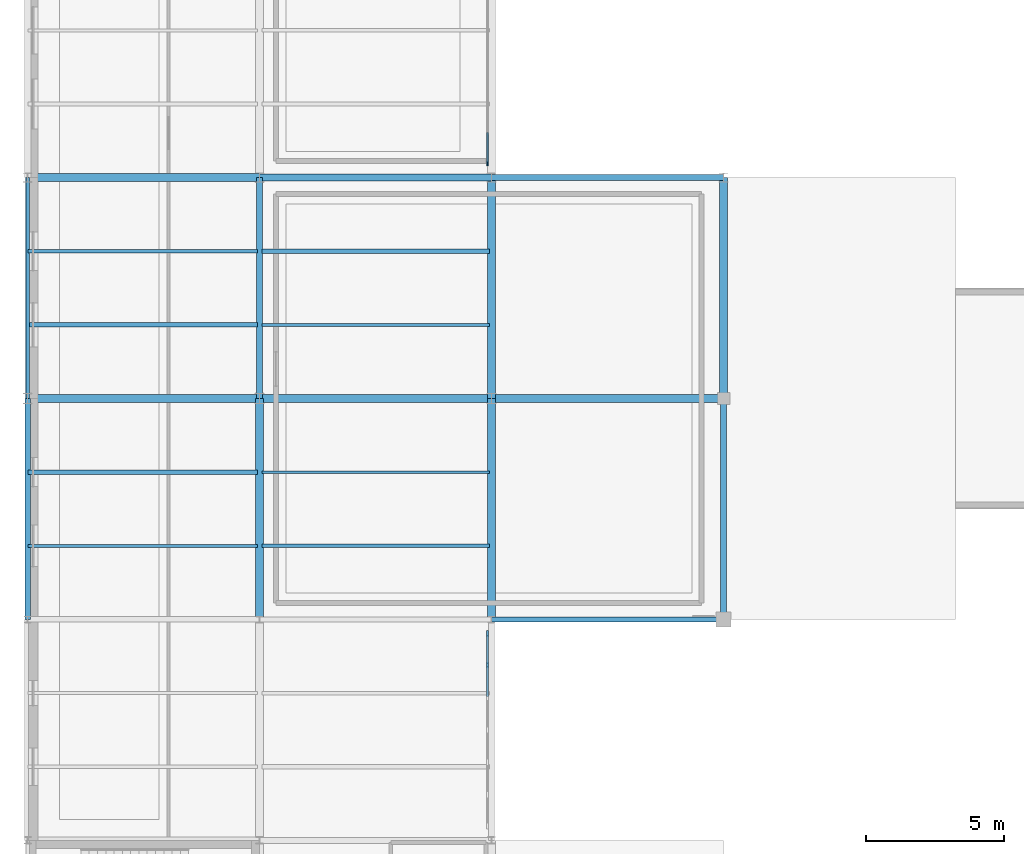
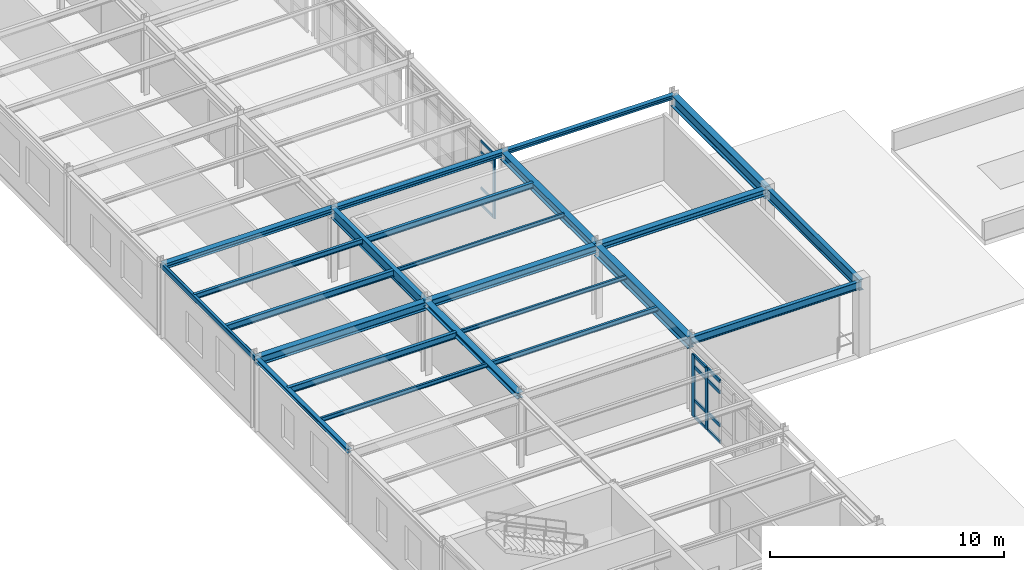
# One storey, part 19 of 70: 23 beams, 15 members, 2 elements without a shape of their own.
"""IFC4 building model written with IfcOpenShell, lengths in metres."""

from ifc_helpers import new_model, si_unit, derived_unit, direction, frame, origin, origin_2d, place, context, subcontext, project, spatial, rectangle, hollow_rectangle, i_section, extrude, material, layer, layer_set, material_profile, profile_set, type_object, element, aggregate, save


model = new_model("IFC4")

# Units and contexts
model_context = context("Model", 3, precision=1e-05, world=origin(), true_north=direction((0.0, 1.0)))
body_context = subcontext(model_context, "Body", "Model", "MODEL_VIEW")
ifc_project = project(units=[si_unit("LENGTHUNIT", "METRE"), si_unit("AREAUNIT", "SQUARE_METRE"), si_unit("VOLUMEUNIT", "CUBIC_METRE"), si_unit("PLANEANGLEUNIT", "RADIAN"), si_unit("MASSUNIT", "GRAM", prefix="KILO"), derived_unit("THERMALTRANSMITTANCEUNIT", [(si_unit("POWERUNIT", "WATT"), 1), (si_unit("AREAUNIT", "SQUARE_METRE"), -1), (si_unit("THERMODYNAMICTEMPERATUREUNIT", "KELVIN"), -1)])], contexts=[model_context])

# Site, building, storey
site_placement = place(None, origin())
site = spatial("IfcSite", under=ifc_project, at=site_placement, CompositionType="ELEMENT")
building_placement = place(site_placement, origin())
building = spatial("IfcBuilding", under=site, at=building_placement, Name="Yasenodar Specialist Clinic", CompositionType="ELEMENT")
storey_placement = place(building_placement, frame((0.0, 0.0, 13.199951171875)))
storey = spatial("IfcBuildingStorey", under=building, at=storey_placement, Name="L03", CompositionType="ELEMENT", Elevation=13.199951171875)

# Beams
ifc_material_1 = material(Name="Steel S355", Category="steel")
ifc_material_profile_1 = material_profile(ifc_material_1, i_section(OverallWidth=0.219970703125, OverallDepth=0.2099609375, WebThickness=0.007080078125, FlangeThickness=0.010986328125, FilletRadius=0.01806640625, at=origin_2d()), Name="HEA 220")
ifc_profile_set_1 = profile_set([ifc_material_profile_1], Name="Steel S355")
beam_type_1 = type_object("IfcBeamType", Name="BM-HEA220", PredefinedType="BEAM", material=ifc_profile_set_1)
beam_1_placement = place(storey_placement, frame((16.800048828125, 66.800048828125, 3.695068359375), z_axis=(1.0, 0.0, 0.0), x_axis=(0.0, 1.0, 0.0)))
element("IfcBeam", 1, at=beam_1_placement, inside=storey, type_object=beam_type_1, Name="L03 Primary E-W Girder", PredefinedType="BEAM", context=body_context, shape_type="SweptSolid", body=[
    extrude(i_section(OverallWidth=0.219970703125, OverallDepth=0.2099609375, WebThickness=0.007080078125, FlangeThickness=0.010986328125, FilletRadius=0.01806640625, at=origin_2d()), origin(), (0.0, 0.0, 1.0), 8.39990234375),
])
ifc_material_profile_2 = material_profile(ifc_material_1, i_section(OverallWidth=0.260009765625, OverallDepth=0.25, WebThickness=0.007568359375, FlangeThickness=0.012451171875, FilletRadius=0.02392578125, at=origin_2d()), Name="HEA 260")
ifc_profile_set_2 = profile_set([ifc_material_profile_2], Name="Steel S355")
beam_type_2 = type_object("IfcBeamType", Name="BM-HEA260", PredefinedType="BEAM", material=ifc_profile_set_2)
beam_2_placement = place(storey_placement, frame((8.39990234375, 66.800048828125, 3.675048828125), z_axis=(1.0, 0.0, 0.0), x_axis=(0.0, 1.0, 0.0)))
element("IfcBeam", 2, at=beam_2_placement, inside=storey, type_object=beam_type_2, Name="L03 Primary E-W Girder", PredefinedType="BEAM", context=body_context, shape_type="SweptSolid", body=[
    extrude(i_section(OverallWidth=0.260009765625, OverallDepth=0.25, WebThickness=0.007568359375, FlangeThickness=0.012451171875, FilletRadius=0.02392578125, at=origin_2d()), origin(), (0.0, 0.0, 1.0), 8.400146484375),
])
ifc_material_profile_3 = material_profile(ifc_material_1, i_section(OverallWidth=0.280029296875, OverallDepth=0.27001953125, WebThickness=0.008056640625, FlangeThickness=0.012939453125, FilletRadius=0.02392578125, at=origin_2d()), Name="HEA 280")
ifc_profile_set_3 = profile_set([ifc_material_profile_3], Name="Steel S355")
beam_type_3 = type_object("IfcBeamType", Name="BM-HEA280", PredefinedType="BEAM", material=ifc_profile_set_3)
beam_3_placement = place(storey_placement, frame((0.0, 66.800048828125, 3.6650390625), z_axis=(1.0, 0.0, 0.0), x_axis=(0.0, 1.0, 0.0)))
element("IfcBeam", 3, at=beam_3_placement, inside=storey, type_object=beam_type_3, Name="L03 Primary E-W Girder", PredefinedType="BEAM", context=body_context, shape_type="SweptSolid", body=[
    extrude(i_section(OverallWidth=0.280029296875, OverallDepth=0.27001953125, WebThickness=0.008056640625, FlangeThickness=0.012939453125, FilletRadius=0.02392578125, at=origin_2d()), origin(), (0.0, 0.0, 1.0), 8.39990234375),
])
ifc_material_profile_4 = material_profile(ifc_material_1, i_section(OverallWidth=0.300048828125, OverallDepth=0.2900390625, WebThickness=0.008544921875, FlangeThickness=0.013916015625, FilletRadius=0.027099609375, at=origin_2d()), Name="HEA 300")
ifc_profile_set_4 = profile_set([ifc_material_profile_4], Name="Steel S355")
beam_type_4 = type_object("IfcBeamType", Name="BM-HEA300", PredefinedType="BEAM", material=ifc_profile_set_4)
beam_4_placement = place(storey_placement, frame((8.39990234375, 50.800048828125, 3.655029296875), z_axis=(0.0, 1.0, 0.0), x_axis=(-1.0, 0.0, 0.0)))
element("IfcBeam", 4, at=beam_4_placement, inside=storey, type_object=beam_type_4, Name="L03 Primary N-S Girder", PredefinedType="BEAM", context=body_context, shape_type="SweptSolid", body=[
    extrude(i_section(OverallWidth=0.300048828125, OverallDepth=0.2900390625, WebThickness=0.008544921875, FlangeThickness=0.013916015625, FilletRadius=0.027099609375, at=origin_2d()), origin(), (0.0, 0.0, 1.0), 8.0),
])
ifc_material_profile_5 = material_profile(ifc_material_1, i_section(OverallWidth=0.300048828125, OverallDepth=0.330078125, WebThickness=0.009521484375, FlangeThickness=0.0166015625, FilletRadius=0.027099609375, at=origin_2d()), Name="HEA 340")
ifc_profile_set_5 = profile_set([ifc_material_profile_5], Name="Steel S355")
beam_type_5 = type_object("IfcBeamType", Name="BM-HEA340", PredefinedType="BEAM", material=ifc_profile_set_5)
beam_5_placement = place(storey_placement, frame((16.800048828125, 58.800048828125, 3.635009765625), z_axis=(1.0, 0.0, 0.0), x_axis=(0.0, 1.0, 0.0)))
element("IfcBeam", 5, at=beam_5_placement, inside=storey, type_object=beam_type_5, Name="L03 Primary E-W Girder", PredefinedType="BEAM", context=body_context, shape_type="SweptSolid", body=[
    extrude(i_section(OverallWidth=0.300048828125, OverallDepth=0.330078125, WebThickness=0.009521484375, FlangeThickness=0.0166015625, FilletRadius=0.027099609375, at=origin_2d()), origin(), (0.0, 0.0, 1.0), 8.39990234375),
])
ifc_material_profile_6 = material_profile(ifc_material_1, i_section(OverallWidth=0.300048828125, OverallDepth=0.389892578125, WebThickness=0.010986328125, FlangeThickness=0.01904296875, FilletRadius=0.027099609375, at=origin_2d()), Name="HEA 400")
ifc_profile_set_6 = profile_set([ifc_material_profile_6], Name="Steel S355")
beam_type_6 = type_object("IfcBeamType", Name="BM-HEA400", PredefinedType="BEAM", material=ifc_profile_set_6)
beam_6_placement = place(storey_placement, frame((8.39990234375, 58.800048828125, 3.60498046875), z_axis=(1.0, 0.0, 0.0), x_axis=(0.0, 1.0, 0.0)))
element("IfcBeam", 6, at=beam_6_placement, inside=storey, type_object=beam_type_6, Name="L03 Primary E-W Girder", PredefinedType="BEAM", context=body_context, shape_type="SweptSolid", body=[
    extrude(i_section(OverallWidth=0.300048828125, OverallDepth=0.389892578125, WebThickness=0.010986328125, FlangeThickness=0.01904296875, FilletRadius=0.027099609375, at=origin_2d()), origin(), (0.0, 0.0, 1.0), 8.400146484375),
])
ifc_material_profile_7 = material_profile(ifc_material_1, i_section(OverallWidth=0.300048828125, OverallDepth=0.43994140625, WebThickness=0.011474609375, FlangeThickness=0.02099609375, FilletRadius=0.027099609375, at=origin_2d()), Name="HEA 450")
ifc_profile_set_7 = profile_set([ifc_material_profile_7], Name="Steel S355")
beam_type_7 = type_object("IfcBeamType", Name="BM-HEA450", PredefinedType="BEAM", material=ifc_profile_set_7)
beam_7_placement = place(storey_placement, frame((0.0, 58.800048828125, 3.580078125), z_axis=(1.0, 0.0, 0.0), x_axis=(0.0, 1.0, 0.0)))
element("IfcBeam", 7, at=beam_7_placement, inside=storey, type_object=beam_type_7, Name="L03 Primary E-W Girder", PredefinedType="BEAM", context=body_context, shape_type="SweptSolid", body=[
    extrude(i_section(OverallWidth=0.300048828125, OverallDepth=0.43994140625, WebThickness=0.011474609375, FlangeThickness=0.02099609375, FilletRadius=0.027099609375, at=origin_2d()), origin(), (0.0, 0.0, 1.0), 8.39990234375),
])
ifc_material_profile_8 = material_profile(ifc_material_1, i_section(OverallWidth=0.300048828125, OverallDepth=0.449951171875, WebThickness=0.013916015625, FlangeThickness=0.02587890625, FilletRadius=0.027099609375, at=origin_2d()), Name="HEB 450")
ifc_profile_set_8 = profile_set([ifc_material_profile_8], Name="Steel S355")
beam_type_8 = type_object("IfcBeamType", Name="BM-HEB450", PredefinedType="BEAM", material=ifc_profile_set_8)
beam_8_placement = place(storey_placement, frame((16.800048828125, 58.800048828125, 3.574951171875), z_axis=(0.0, 1.0, 0.0), x_axis=(-1.0, 0.0, 0.0)))
element("IfcBeam", 8, at=beam_8_placement, inside=storey, type_object=beam_type_8, Name="L03 Primary N-S Girder", PredefinedType="BEAM", context=body_context, shape_type="SweptSolid", body=[
    extrude(i_section(OverallWidth=0.300048828125, OverallDepth=0.449951171875, WebThickness=0.013916015625, FlangeThickness=0.02587890625, FilletRadius=0.027099609375, at=origin_2d()), origin(), (0.0, 0.0, 1.0), 8.0),
])
ifc_material_profile_9 = material_profile(ifc_material_1, i_section(OverallWidth=0.300048828125, OverallDepth=0.60009765625, WebThickness=0.015380859375, FlangeThickness=0.030029296875, FilletRadius=0.027099609375, at=origin_2d()), Name="HEB 600")
ifc_profile_set_9 = profile_set([ifc_material_profile_9], Name="Steel S355")
beam_type_9 = type_object("IfcBeamType", Name="BM-HEB600", PredefinedType="BEAM", material=ifc_profile_set_9)
for number, where, z_axis, x_axis, name in (
    (9, (16.800048828125, 50.800048828125, 3.5), (0.0, 1.0, 0.0), (-1.0, 0.0, 0.0), "L03 Primary N-S Girder"),
    (10, (25.199951171875, 58.800048828125, 3.5), (0.0, 1.0, 0.0), (-1.0, 0.0, 0.0), "L03 Primary N-S Girder"),
):
    element("IfcBeam", number, at=place(storey_placement, frame(where, z_axis=z_axis, x_axis=x_axis)), inside=storey, type_object=beam_type_9, Name=name, PredefinedType="BEAM", context=body_context, shape_type="SweptSolid", body=[
        extrude(i_section(OverallWidth=0.300048828125, OverallDepth=0.60009765625, WebThickness=0.015380859375, FlangeThickness=0.030029296875, FilletRadius=0.027099609375, at=origin_2d()), origin(), (0.0, 0.0, 1.0), 8.0),
    ])
ifc_material_profile_10 = material_profile(ifc_material_1, i_section(OverallWidth=0.179931640625, OverallDepth=0.39990234375, WebThickness=0.008544921875, FlangeThickness=0.013427734375, FilletRadius=0.02099609375, at=origin_2d()), Name="IPE 400")
ifc_profile_set_10 = profile_set([ifc_material_profile_10], Name="Steel S355")
beam_type_10 = type_object("IfcBeamType", Name="BM-IPE400", PredefinedType="BEAM", material=ifc_profile_set_10)
beam_9_placement = place(storey_placement, frame((16.800048828125, 50.800048828125, 3.60009765625), z_axis=(1.0, 0.0, 0.0), x_axis=(0.0, 1.0, 0.0)))
element("IfcBeam", 11, at=beam_9_placement, inside=storey, type_object=beam_type_10, Name="L03 Primary E-W Girder", PredefinedType="BEAM", context=body_context, shape_type="SweptSolid", body=[
    extrude(i_section(OverallWidth=0.179931640625, OverallDepth=0.39990234375, WebThickness=0.008544921875, FlangeThickness=0.013427734375, FilletRadius=0.02099609375, at=origin_2d()), origin(), (0.0, 0.0, 1.0), 8.39990234375),
])
ifc_material_profile_11 = material_profile(ifc_material_1, i_section(OverallWidth=0.2099609375, OverallDepth=0.550048828125, WebThickness=0.010986328125, FlangeThickness=0.01708984375, FilletRadius=0.02392578125, at=origin_2d()), Name="IPE 550")
ifc_profile_set_11 = profile_set([ifc_material_profile_11], Name="Steel S355")
beam_type_11 = type_object("IfcBeamType", Name="BM-IPE550", PredefinedType="BEAM", material=ifc_profile_set_11)
for number, where, z_axis, x_axis, name in (
    (12, (8.39990234375, 58.800048828125, 3.525146484375), (0.0, 1.0, 0.0), (-1.0, 0.0, 0.0), "L03 Primary N-S Girder"),
    (13, (25.199951171875, 50.800048828125, 3.525146484375), (0.0, 1.0, 0.0), (-1.0, 0.0, 0.0), "L03 Primary N-S Girder"),
):
    element("IfcBeam", number, at=place(storey_placement, frame(where, z_axis=z_axis, x_axis=x_axis)), inside=storey, type_object=beam_type_11, Name=name, PredefinedType="BEAM", context=body_context, shape_type="SweptSolid", body=[
        extrude(i_section(OverallWidth=0.2099609375, OverallDepth=0.550048828125, WebThickness=0.010986328125, FlangeThickness=0.01708984375, FilletRadius=0.02392578125, at=origin_2d()), origin(), (0.0, 0.0, 1.0), 8.0),
    ])

# Curtain wall, member
ifc_material_2 = material(Name="Bronze Anodized Aluminium and Triple Low-E Glass", Category="aluminium")
ifc_layer = layer(ifc_material_2, 0.202880859375)
ifc_layer_set = layer_set([ifc_layer], Name="Bronze Anodized Aluminium and Triple Low-E Glass")
curtain_wall_type = type_object("IfcCurtainWallType", Name="CW-SYS-04", PredefinedType="USERDEFINED", material=ifc_layer_set)
curtain_wall_1_placement = place(storey_placement, origin())
curtain_wall_1 = element("IfcCurtainWall", 14, at=curtain_wall_1_placement, inside=storey, type_object=curtain_wall_type, Name="L03 Unitised Curtain Wall 134", ObjectType="UNITISED CURTAIN WALL", PredefinedType="USERDEFINED")
ifc_material_3 = material(Name="Bronze Anodized Aluminium", Category="aluminium")
ifc_material_profile_12 = material_profile(ifc_material_3, rectangle(XDim=0.06005859375, YDim=0.159912109375, at=origin_2d()), Name="CW-MULL 60x160")
ifc_profile_set_12 = profile_set([ifc_material_profile_12], Name="Bronze Anodized Aluminium")
member_type_1 = type_object("IfcMemberType", Name="CW-MULL-160", PredefinedType="MULLION", material=ifc_profile_set_12)
member_1_placement = place(storey_placement, frame((16.64990234375, 67.31005859375, 0.0), z_axis=(0.0, 0.0, 1.0), x_axis=(1.0, 0.0, 0.0)))
member_1 = element("IfcMember", 15, at=member_1_placement, type_object=member_type_1, Name="CW-04 mullion 7", PredefinedType="MULLION", context=body_context, shape_type="SweptSolid", body=[
    extrude(rectangle(XDim=0.06005859375, YDim=0.159912109375, at=origin_2d()), origin(), (0.0, 0.0, 1.0), 3.3779296875),
])

# Curtain wall, members
curtain_wall_2_placement = place(storey_placement, origin())
curtain_wall_2 = element("IfcCurtainWall", 16, at=curtain_wall_2_placement, inside=storey, type_object=curtain_wall_type, Name="L03 Unitised Curtain Wall 135", ObjectType="UNITISED CURTAIN WALL", PredefinedType="USERDEFINED")
ifc_material_profile_13 = material_profile(ifc_material_3, rectangle(XDim=0.074951171875, YDim=0.22509765625, at=origin_2d()), Name="CW-MULL 75x225")
ifc_profile_set_13 = profile_set([ifc_material_profile_13], Name="Bronze Anodized Aluminium")
member_type_2 = type_object("IfcMemberType", Name="CW-MULL-225", PredefinedType="MULLION", material=ifc_profile_set_13)
member_2_placement = place(storey_placement, frame((16.64990234375, 50.282470703125, 0.0), z_axis=(0.0, 0.0, 1.0), x_axis=(1.0, 0.0, 0.0)))
member_2 = element("IfcMember", 17, at=member_2_placement, type_object=member_type_2, Name="CW-04 mullion 1", PredefinedType="MULLION", context=body_context, shape_type="SweptSolid", body=[
    extrude(rectangle(XDim=0.074951171875, YDim=0.22509765625, at=origin_2d()), origin(), (0.0, 0.0, 1.0), 3.22802734375),
])
member_3_placement = place(storey_placement, frame((16.64990234375, 49.146728515625, 0.0), z_axis=(0.0, 0.0, 1.0), x_axis=(1.0, 0.0, 0.0)))
member_3 = element("IfcMember", 18, at=member_3_placement, type_object=member_type_2, Name="CW-04 mullion 2", PredefinedType="MULLION", context=body_context, shape_type="SweptSolid", body=[
    extrude(rectangle(XDim=0.074951171875, YDim=0.22509765625, at=origin_2d()), origin(), (0.0, 0.0, 1.0), 3.22802734375),
])

# Member
ifc_material_profile_14 = material_profile(ifc_material_3, rectangle(XDim=0.06005859375, YDim=0.1201171875, at=origin_2d()), Name="CW-TRAN 60x120")
ifc_profile_set_14 = profile_set([ifc_material_profile_14], Name="Bronze Anodized Aluminium")
member_type_3 = type_object("IfcMemberType", Name="CW-TRAN-120", PredefinedType="USERDEFINED", material=ifc_profile_set_14)
member_4_placement = place(storey_placement, frame((16.64990234375, 68.42333984375, 0.030029296875), z_axis=(0.0, -1.0, 0.0), x_axis=(1.0, 0.0, 0.0)))
member_4 = element("IfcMember", 19, at=member_4_placement, type_object=member_type_3, Name="CW-04 transom 6.1", ObjectType="TRANSOM", PredefinedType="USERDEFINED", context=body_context, shape_type="SweptSolid", body=[
    extrude(rectangle(XDim=0.06005859375, YDim=0.1201171875, at=origin_2d()), origin(), (0.0, 0.0, 1.0), 1.083251953125),
])

member_5_placement = place(storey_placement, frame((16.64990234375, 68.42333984375, 0.900146484375), z_axis=(0.0, -1.0, 0.0), x_axis=(1.0, 0.0, 0.0)))
member_5 = element("IfcMember", 20, at=member_5_placement, type_object=member_type_3, Name="CW-04 transom 6.2", ObjectType="TRANSOM", PredefinedType="USERDEFINED", context=body_context, shape_type="SweptSolid", body=[
    extrude(rectangle(XDim=0.06005859375, YDim=0.1201171875, at=origin_2d()), origin(), (0.0, 0.0, 1.0), 1.083251953125),
])

member_6_placement = place(storey_placement, frame((16.64990234375, 68.42333984375, 2.778076171875), z_axis=(0.0, -1.0, 0.0), x_axis=(1.0, 0.0, 0.0)))
member_6 = element("IfcMember", 21, at=member_6_placement, type_object=member_type_3, Name="CW-04 transom 6.3", ObjectType="TRANSOM", PredefinedType="USERDEFINED", context=body_context, shape_type="SweptSolid", body=[
    extrude(rectangle(XDim=0.06005859375, YDim=0.1201171875, at=origin_2d()), origin(), (0.0, 0.0, 1.0), 1.083251953125),
])

member_7_placement = place(storey_placement, frame((16.64990234375, 68.42333984375, 3.34814453125), z_axis=(0.0, -1.0, 0.0), x_axis=(1.0, 0.0, 0.0)))
member_7 = element("IfcMember", 22, at=member_7_placement, type_object=member_type_3, Name="CW-04 transom 6.4", ObjectType="TRANSOM", PredefinedType="USERDEFINED", context=body_context, shape_type="SweptSolid", body=[
    extrude(rectangle(XDim=0.06005859375, YDim=0.1201171875, at=origin_2d()), origin(), (0.0, 0.0, 1.0), 1.083251953125),
])

aggregate(curtain_wall_1, [member_1, member_4, member_5, member_6, member_7])

ifc_material_profile_15 = material_profile(ifc_material_3, rectangle(XDim=0.074951171875, YDim=0.175048828125, at=origin_2d()), Name="CW-TRAN 75x175")
ifc_profile_set_15 = profile_set([ifc_material_profile_15], Name="Bronze Anodized Aluminium")
member_type_4 = type_object("IfcMemberType", Name="CW-TRAN-175", PredefinedType="USERDEFINED", material=ifc_profile_set_15)
member_8_placement = place(storey_placement, frame((16.64990234375, 50.2451171875, 0.03759765625), z_axis=(0.0, -1.0, 0.0), x_axis=(1.0, 0.0, 0.0)))
member_8 = element("IfcMember", 23, at=member_8_placement, type_object=member_type_4, Name="CW-04 transom 1.1", ObjectType="TRANSOM", PredefinedType="USERDEFINED", context=body_context, shape_type="SweptSolid", body=[
    extrude(rectangle(XDim=0.074951171875, YDim=0.175048828125, at=origin_2d()), origin(), (0.0, 0.0, 1.0), 1.06103515625),
])

member_9_placement = place(storey_placement, frame((16.64990234375, 50.2451171875, 0.900146484375), z_axis=(0.0, -1.0, 0.0), x_axis=(1.0, 0.0, 0.0)))
member_9 = element("IfcMember", 24, at=member_9_placement, type_object=member_type_4, Name="CW-04 transom 1.2", ObjectType="TRANSOM", PredefinedType="USERDEFINED", context=body_context, shape_type="SweptSolid", body=[
    extrude(rectangle(XDim=0.074951171875, YDim=0.175048828125, at=origin_2d()), origin(), (0.0, 0.0, 1.0), 1.06103515625),
])

member_10_placement = place(storey_placement, frame((16.64990234375, 50.2451171875, 2.6279296875), z_axis=(0.0, -1.0, 0.0), x_axis=(1.0, 0.0, 0.0)))
member_10 = element("IfcMember", 25, at=member_10_placement, type_object=member_type_4, Name="CW-04 transom 1.3", ObjectType="TRANSOM", PredefinedType="USERDEFINED", context=body_context, shape_type="SweptSolid", body=[
    extrude(rectangle(XDim=0.074951171875, YDim=0.175048828125, at=origin_2d()), origin(), (0.0, 0.0, 1.0), 1.06103515625),
])

member_11_placement = place(storey_placement, frame((16.64990234375, 50.2451171875, 3.1904296875), z_axis=(0.0, -1.0, 0.0), x_axis=(1.0, 0.0, 0.0)))
member_11 = element("IfcMember", 26, at=member_11_placement, type_object=member_type_4, Name="CW-04 transom 1.4", ObjectType="TRANSOM", PredefinedType="USERDEFINED", context=body_context, shape_type="SweptSolid", body=[
    extrude(rectangle(XDim=0.074951171875, YDim=0.175048828125, at=origin_2d()), origin(), (0.0, 0.0, 1.0), 1.06103515625),
])

member_12_placement = place(storey_placement, frame((16.64990234375, 49.109130859375, 0.03759765625), z_axis=(0.0, -1.0, 0.0), x_axis=(1.0, 0.0, 0.0)))
member_12 = element("IfcMember", 27, at=member_12_placement, type_object=member_type_4, Name="CW-04 transom 2.1", ObjectType="TRANSOM", PredefinedType="USERDEFINED", context=body_context, shape_type="SweptSolid", body=[
    extrude(rectangle(XDim=0.074951171875, YDim=0.175048828125, at=origin_2d()), origin(), (0.0, 0.0, 1.0), 1.098388671875),
])

member_13_placement = place(storey_placement, frame((16.64990234375, 49.109130859375, 0.900146484375), z_axis=(0.0, -1.0, 0.0), x_axis=(1.0, 0.0, 0.0)))
member_13 = element("IfcMember", 28, at=member_13_placement, type_object=member_type_4, Name="CW-04 transom 2.2", ObjectType="TRANSOM", PredefinedType="USERDEFINED", context=body_context, shape_type="SweptSolid", body=[
    extrude(rectangle(XDim=0.074951171875, YDim=0.175048828125, at=origin_2d()), origin(), (0.0, 0.0, 1.0), 1.098388671875),
])

member_14_placement = place(storey_placement, frame((16.64990234375, 49.109130859375, 2.6279296875), z_axis=(0.0, -1.0, 0.0), x_axis=(1.0, 0.0, 0.0)))
member_14 = element("IfcMember", 29, at=member_14_placement, type_object=member_type_4, Name="CW-04 transom 2.3", ObjectType="TRANSOM", PredefinedType="USERDEFINED", context=body_context, shape_type="SweptSolid", body=[
    extrude(rectangle(XDim=0.074951171875, YDim=0.175048828125, at=origin_2d()), origin(), (0.0, 0.0, 1.0), 1.098388671875),
])

member_15_placement = place(storey_placement, frame((16.64990234375, 49.109130859375, 3.1904296875), z_axis=(0.0, -1.0, 0.0), x_axis=(1.0, 0.0, 0.0)))
member_15 = element("IfcMember", 30, at=member_15_placement, type_object=member_type_4, Name="CW-04 transom 2.4", ObjectType="TRANSOM", PredefinedType="USERDEFINED", context=body_context, shape_type="SweptSolid", body=[
    extrude(rectangle(XDim=0.074951171875, YDim=0.175048828125, at=origin_2d()), origin(), (0.0, 0.0, 1.0), 1.098388671875),
])

aggregate(curtain_wall_2, [member_2, member_3, member_8, member_9, member_10, member_11, member_12, member_13, member_14, member_15])

# Beams
ifc_material_profile_16 = material_profile(ifc_material_1, i_section(OverallWidth=0.10009765625, OverallDepth=0.199951171875, WebThickness=0.005615234375, FlangeThickness=0.008544921875, FilletRadius=0.011962890625, at=origin_2d()), Name="IPE 200")
ifc_profile_set_16 = profile_set([ifc_material_profile_16], Name="Steel S355")
beam_type_12 = type_object("IfcBeamType", Name="JS-IPE200", PredefinedType="JOIST", material=ifc_profile_set_16)
for number, where, z_axis, x_axis, name in (
    (31, (8.47998046875, 56.13330078125, 3.699951171875), (1.0, 0.0, 0.0), (0.0, 1.0, 0.0), "L03 Composite Floor Joist"),
    (32, (8.47998046875, 61.466796875, 3.699951171875), (1.0, 0.0, 0.0), (0.0, 1.0, 0.0), "L03 Composite Floor Joist"),
):
    element("IfcBeam", number, at=place(storey_placement, frame(where, z_axis=z_axis, x_axis=x_axis)), inside=storey, type_object=beam_type_12, Name=name, PredefinedType="JOIST", context=body_context, shape_type="SweptSolid", body=[
        extrude(i_section(OverallWidth=0.10009765625, OverallDepth=0.199951171875, WebThickness=0.005615234375, FlangeThickness=0.008544921875, FilletRadius=0.011962890625, at=origin_2d()), origin(), (0.0, 0.0, 1.0), 8.239990234375),
    ])
ifc_material_profile_17 = material_profile(ifc_material_1, i_section(OverallWidth=0.110107421875, OverallDepth=0.219970703125, WebThickness=0.005859375, FlangeThickness=0.00927734375, FilletRadius=0.011962890625, at=origin_2d()), Name="IPE 220")
ifc_profile_set_17 = profile_set([ifc_material_profile_17], Name="Steel S355")
beam_type_13 = type_object("IfcBeamType", Name="JS-IPE220", PredefinedType="JOIST", material=ifc_profile_set_17)
beam_10_placement = place(storey_placement, frame((0.014892578125, 53.466796875, 3.68994140625), z_axis=(1.0, 0.0, 0.0), x_axis=(0.0, 1.0, 0.0)))
element("IfcBeam", 33, at=beam_10_placement, inside=storey, type_object=beam_type_13, Name="L03 Composite Floor Joist", PredefinedType="JOIST", context=body_context, shape_type="SweptSolid", body=[
    extrude(i_section(OverallWidth=0.110107421875, OverallDepth=0.219970703125, WebThickness=0.005859375, FlangeThickness=0.00927734375, FilletRadius=0.011962890625, at=origin_2d()), origin(), (0.0, 0.0, 1.0), 8.30517578125),
])
ifc_material_profile_18 = material_profile(ifc_material_1, i_section(OverallWidth=0.1201171875, OverallDepth=0.239990234375, WebThickness=0.006103515625, FlangeThickness=0.009765625, FilletRadius=0.014892578125, at=origin_2d()), Name="IPE 240")
ifc_profile_set_18 = profile_set([ifc_material_profile_18], Name="Steel S355")
beam_type_14 = type_object("IfcBeamType", Name="JS-IPE240", PredefinedType="JOIST", material=ifc_profile_set_18)
beam_11_placement = place(storey_placement, frame((8.47998046875, 53.466796875, 3.679931640625), z_axis=(1.0, 0.0, 0.0), x_axis=(0.0, 1.0, 0.0)))
element("IfcBeam", 34, at=beam_11_placement, inside=storey, type_object=beam_type_14, Name="L03 Composite Floor Joist", PredefinedType="JOIST", context=body_context, shape_type="SweptSolid", body=[
    extrude(i_section(OverallWidth=0.1201171875, OverallDepth=0.239990234375, WebThickness=0.006103515625, FlangeThickness=0.009765625, FilletRadius=0.014892578125, at=origin_2d()), origin(), (0.0, 0.0, 1.0), 8.239990234375),
])
ifc_material_profile_19 = material_profile(ifc_material_1, i_section(OverallWidth=0.135009765625, OverallDepth=0.27001953125, WebThickness=0.006591796875, FlangeThickness=0.01025390625, FilletRadius=0.014892578125, at=origin_2d()), Name="IPE 270")
ifc_profile_set_19 = profile_set([ifc_material_profile_19], Name="Steel S355")
beam_type_15 = type_object("IfcBeamType", Name="JS-IPE270", PredefinedType="JOIST", material=ifc_profile_set_19)
beam_12_placement = place(storey_placement, frame((0.014892578125, 64.13330078125, 3.6650390625), z_axis=(1.0, 0.0, 0.0), x_axis=(0.0, 1.0, 0.0)))
element("IfcBeam", 35, at=beam_12_placement, inside=storey, type_object=beam_type_15, Name="L03 Composite Floor Joist", PredefinedType="JOIST", context=body_context, shape_type="SweptSolid", body=[
    extrude(i_section(OverallWidth=0.135009765625, OverallDepth=0.27001953125, WebThickness=0.006591796875, FlangeThickness=0.01025390625, FilletRadius=0.014892578125, at=origin_2d()), origin(), (0.0, 0.0, 1.0), 8.30517578125),
])
ifc_material_profile_20 = material_profile(ifc_material_1, i_section(OverallWidth=0.14990234375, OverallDepth=0.300048828125, WebThickness=0.007080078125, FlangeThickness=0.0107421875, FilletRadius=0.014892578125, at=origin_2d()), Name="IPE 300")
ifc_profile_set_20 = profile_set([ifc_material_profile_20], Name="Steel S355")
beam_type_16 = type_object("IfcBeamType", Name="JS-IPE300", PredefinedType="JOIST", material=ifc_profile_set_20)
beam_13_placement = place(storey_placement, frame((8.47998046875, 64.13330078125, 3.650146484375), z_axis=(1.0, 0.0, 0.0), x_axis=(0.0, 1.0, 0.0)))
element("IfcBeam", 36, at=beam_13_placement, inside=storey, type_object=beam_type_16, Name="L03 Composite Floor Joist", PredefinedType="JOIST", context=body_context, shape_type="SweptSolid", body=[
    extrude(i_section(OverallWidth=0.14990234375, OverallDepth=0.300048828125, WebThickness=0.007080078125, FlangeThickness=0.0107421875, FilletRadius=0.014892578125, at=origin_2d()), origin(), (0.0, 0.0, 1.0), 8.239990234375),
])
ifc_material_profile_21 = material_profile(ifc_material_1, i_section(OverallWidth=0.159912109375, OverallDepth=0.330078125, WebThickness=0.007568359375, FlangeThickness=0.011474609375, FilletRadius=0.01806640625, at=origin_2d()), Name="IPE 330")
ifc_profile_set_21 = profile_set([ifc_material_profile_21], Name="Steel S355")
beam_type_17 = type_object("IfcBeamType", Name="JS-IPE330", PredefinedType="JOIST", material=ifc_profile_set_21)
for number, where, z_axis, x_axis, name in (
    (37, (0.014892578125, 56.13330078125, 3.635009765625), (1.0, 0.0, 0.0), (0.0, 1.0, 0.0), "L03 Composite Floor Joist"),
    (38, (0.014892578125, 61.466796875, 3.635009765625), (1.0, 0.0, 0.0), (0.0, 1.0, 0.0), "L03 Composite Floor Joist"),
):
    element("IfcBeam", number, at=place(storey_placement, frame(where, z_axis=z_axis, x_axis=x_axis)), inside=storey, type_object=beam_type_17, Name=name, PredefinedType="JOIST", context=body_context, shape_type="SweptSolid", body=[
        extrude(i_section(OverallWidth=0.159912109375, OverallDepth=0.330078125, WebThickness=0.007568359375, FlangeThickness=0.011474609375, FilletRadius=0.01806640625, at=origin_2d()), origin(), (0.0, 0.0, 1.0), 8.30517578125),
    ])
ifc_material_profile_22 = material_profile(ifc_material_1, i_section(OverallWidth=0.199951171875, OverallDepth=0.18994140625, WebThickness=0.006591796875, FlangeThickness=0.010009765625, FilletRadius=0.01806640625, at=origin_2d()), Name="HEA 200")
ifc_profile_set_22 = profile_set([ifc_material_profile_22], Name="Steel S355")
beam_type_18 = type_object("IfcBeamType", Name="SP-HEA200", PredefinedType="SPANDREL", material=ifc_profile_set_22)
beam_14_placement = place(storey_placement, frame((0.0, 50.800048828125, 3.705078125), z_axis=(0.0, 1.0, 0.0), x_axis=(-1.0, 0.0, 0.0)))
element("IfcBeam", 39, at=beam_14_placement, inside=storey, type_object=beam_type_18, Name="L03 Perimeter Spandrel Beam", PredefinedType="SPANDREL", context=body_context, shape_type="SweptSolid", body=[
    extrude(i_section(OverallWidth=0.199951171875, OverallDepth=0.18994140625, WebThickness=0.006591796875, FlangeThickness=0.010009765625, FilletRadius=0.01806640625, at=origin_2d()), origin(), (0.0, 0.0, 1.0), 8.0),
])
ifc_material_profile_23 = material_profile(ifc_material_1, hollow_rectangle(XDim=0.14990234375, YDim=0.25, WallThickness=0.010009765625, InnerFilletRadius=0.014892578125, OuterFilletRadius=0.02490234375, at=origin_2d()), Name="RHS 250x150x10")
ifc_profile_set_23 = profile_set([ifc_material_profile_23], Name="Steel S355")
beam_type_19 = type_object("IfcBeamType", Name="SP-RHS250", PredefinedType="SPANDREL", material=ifc_profile_set_23)
beam_15_placement = place(storey_placement, frame((0.0, 58.800048828125, 3.675048828125), z_axis=(0.0, 1.0, 0.0), x_axis=(-1.0, 0.0, 0.0)))
element("IfcBeam", 40, at=beam_15_placement, inside=storey, type_object=beam_type_19, Name="L03 Perimeter Spandrel Beam", PredefinedType="SPANDREL", context=body_context, shape_type="SweptSolid", body=[
    extrude(hollow_rectangle(XDim=0.14990234375, YDim=0.25, WallThickness=0.010009765625, InnerFilletRadius=0.014892578125, OuterFilletRadius=0.02490234375, at=origin_2d()), origin(), (0.0, 0.0, 1.0), 8.0),
])

save(model, "model.ifc")
